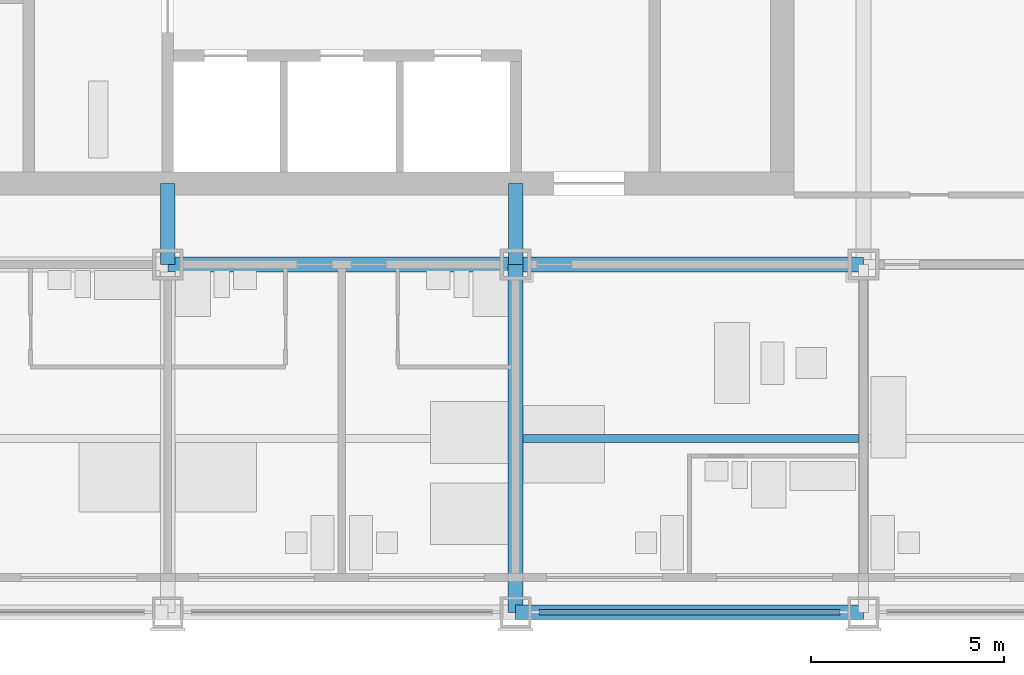
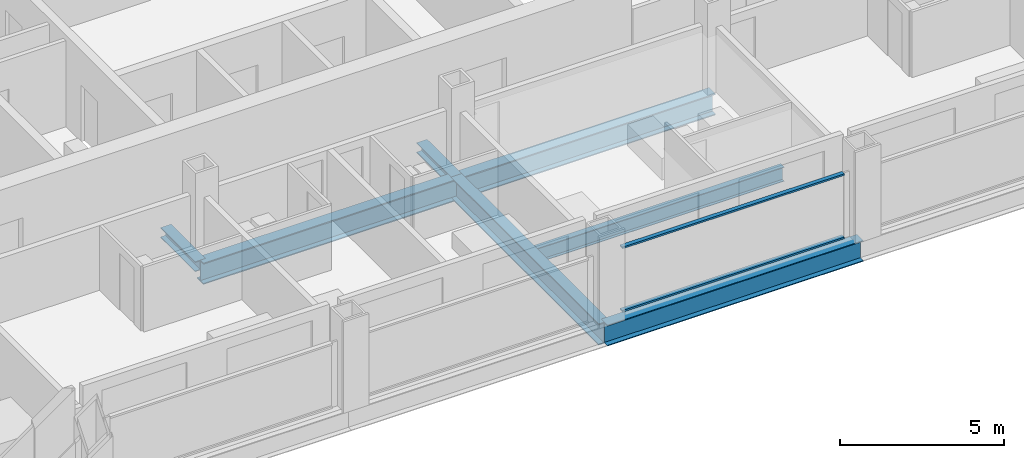
# One storey, part 3 of 18: 5 beams, 4 members, 1 element without a shape of its own.
"""IFC4 building model written with IfcOpenShell, lengths in metres."""

import ifcopenshell
import ifcopenshell.guid

model = None  # the IFC model being written
_history = None  # IfcOwnerHistory: only IFC2X3 demands one
_inside = {}  # id of a spatial element -> (the spatial element, [elements in it])
_under = {}  # id of a project, library or spatial element -> (it, [spatial elements below it])
_declared = {}  # id of a project -> (the project, [libraries it declares])
_typed = {}  # id of a type object -> (the type object, [elements of that type])
_made_of = {}  # id of a material, layer set ... -> (it, [elements and type objects made of it])


def new_model(schema):
    """Start an empty IFC model of exactly this schema.

    Asked for "IFC4X3", IfcOpenShell would pick the latest addendum, in which some entities
    have other attributes; the version numbers below select the first issue.
    IFC2X3 requires an IfcOwnerHistory on every rooted entity: one is made here for all.
    """
    global model, _history
    if schema == "IFC4X3":
        model = ifcopenshell.file(schema_version=(4, 3, 0, 0))
    else:
        model = ifcopenshell.file(schema=schema)
    _inside.clear()
    _under.clear()
    _declared.clear()
    _typed.clear()
    _made_of.clear()
    _history = None
    if model.schema == "IFC2X3":
        org = make("IfcOrganization", Name="unknown")
        user = make(
            "IfcPersonAndOrganization",
            ThePerson=make("IfcPerson", FamilyName="unknown"),
            TheOrganization=org,
        )
        app = make(
            "IfcApplication",
            ApplicationDeveloper=org,
            Version="unknown",
            ApplicationFullName="unknown",
            ApplicationIdentifier="unknown",
        )
        _history = make(
            "IfcOwnerHistory",
            OwningUser=user,
            OwningApplication=app,
            ChangeAction="ADDED",
            CreationDate=0,
        )
    return model


def make(cls, **values):
    """One entity of the class cls with the attributes given. An attribute that is None is left unset."""
    return model.create_entity(
        cls, **{name: value for name, value in values.items() if value is not None}
    )


def rooted(cls, **values):
    """An entity with a GlobalId (a new one), such as an element, a storey or a relation."""
    return make(cls, GlobalId=ifcopenshell.guid.new(), OwnerHistory=_history, **values)


def si_unit(unit_type, name, prefix=None):
    """IfcSIUnit, for example si_unit("LENGTHUNIT", "METRE", prefix="MILLI")."""
    return make("IfcSIUnit", UnitType=unit_type, Prefix=prefix, Name=name)


def assignment(units):
    """IfcUnitAssignment: the units of a project."""
    return None if units is None else make("IfcUnitAssignment", Units=units)


def point(xyz):
    """IfcCartesianPoint."""
    return None if xyz is None else make("IfcCartesianPoint", Coordinates=xyz)


def direction(xyz):
    """IfcDirection."""
    return None if xyz is None else make("IfcDirection", DirectionRatios=xyz)


def frame(location, z_axis=None, x_axis=None):
    """IfcAxis2Placement3D, a coordinate frame: its origin and axes. An axis left out is left unset."""
    return make(
        "IfcAxis2Placement3D",
        Location=point(location),
        Axis=direction(z_axis),
        RefDirection=direction(x_axis),
    )


def frame_2d(location, x_axis=None):
    """IfcAxis2Placement2D, a coordinate frame in the plane: its origin and x axis."""
    return make(
        "IfcAxis2Placement2D", Location=point(location), RefDirection=direction(x_axis)
    )


def origin():
    """The frame at (0, 0, 0) with its axes left unset."""
    return frame((0.0, 0.0, 0.0))


def origin_2d():
    """The frame at (0, 0) in the plane with its x axis left unset."""
    return frame_2d((0.0, 0.0))


def place(relative_to, where):
    """IfcLocalPlacement: puts the frame where relative to a parent placement (None: the world)."""
    return make(
        "IfcLocalPlacement", PlacementRelTo=relative_to, RelativePlacement=where
    )


def context(
    kind, dimensions, precision=None, world=None, true_north=None, identifier=None
):
    """IfcGeometricRepresentationContext, for example the 3D "Model" context."""
    return make(
        "IfcGeometricRepresentationContext",
        ContextIdentifier=identifier,
        ContextType=kind,
        CoordinateSpaceDimension=dimensions,
        Precision=precision,
        WorldCoordinateSystem=world,
        TrueNorth=true_north,
    )


def subcontext(parent, identifier, kind, view, scale=None):
    """IfcGeometricRepresentationSubContext, for example "Body" below "Model"."""
    return make(
        "IfcGeometricRepresentationSubContext",
        ContextIdentifier=identifier,
        ContextType=kind,
        ParentContext=parent,
        TargetScale=scale,
        TargetView=view,
    )


def project(units=None, contexts=None):
    """IfcProject with its units and contexts."""
    return rooted(
        "IfcProject",
        Name="project",
        RepresentationContexts=contexts,
        UnitsInContext=assignment(units),
    )


def spatial(cls, under=None, at=None, **own):
    """A site, building, storey or space (cls), placed at a placement, below another one or the project."""
    s = rooted(cls, ObjectPlacement=at, **own)
    if under is not None:
        _under.setdefault(under.id(), (under, []))[1].append(s)
    return s


def profile(cls, at=None, kind="AREA", **sizes):
    """A parametric profile (cls). Its sizes go by their IFC names, for example OverallWidth=200.0."""
    return make(cls, ProfileType=kind, Position=at, **sizes)


def rectangle(**sizes):
    """IfcRectangleProfileDef."""
    return profile("IfcRectangleProfileDef", **sizes)


def i_section(**sizes):
    """IfcIShapeProfileDef."""
    return profile("IfcIShapeProfileDef", **sizes)


def extrude(swept, where, along, depth):
    """IfcExtrudedAreaSolid: the profile swept, set in the frame where, extruded along a direction by depth."""
    return make(
        "IfcExtrudedAreaSolid",
        SweptArea=swept,
        Position=where,
        ExtrudedDirection=direction(along),
        Depth=depth,
    )


def shape(context_of_items, identifier, shape_type, items):
    """IfcShapeRepresentation: the items that make up one representation, for example the "Body"."""
    return make(
        "IfcShapeRepresentation",
        ContextOfItems=context_of_items,
        RepresentationIdentifier=identifier,
        RepresentationType=shape_type,
        Items=items,
    )


def material(Name=None, Category=None):
    """IfcMaterial."""
    return make("IfcMaterial", Name=Name, Category=Category)


def material_profile(
    of_material, cross_section, Name=None, Category=None, Priority=None
):
    """IfcMaterialProfile: a cross section and its material."""
    return make(
        "IfcMaterialProfile",
        Name=Name,
        Material=of_material,
        Profile=cross_section,
        Priority=Priority,
        Category=Category,
    )


def profile_set(profiles, Name=None, composite=None):
    """IfcMaterialProfileSet."""
    return make(
        "IfcMaterialProfileSet",
        Name=Name,
        MaterialProfiles=profiles,
        CompositeProfile=composite,
    )


def made_of(thing, what):
    """Note that an element or type object is made of a material, layer set ...; save() writes the relation."""
    if what is not None:
        _made_of.setdefault(what.id(), (what, []))[1].append(thing)
    return thing


def type_object(cls, material=None, **own):
    """A type object (cls), such as IfcWallType, which elements share."""
    return made_of(rooted(cls, **own), material)


def element(
    cls,
    number,
    at=None,
    inside=None,
    cuts=None,
    type_object=None,
    material=None,
    context=None,
    identifier="Body",
    shape_type=None,
    held_by="IfcProductDefinitionShape",
    body=None,
    shapes=None,
    **own,
):
    """One element of the class cls, such as IfcWall. Its Tag is "e" and its number.

    at: its placement. inside: the storey or other place that contains it. cuts: it is an
    opening in that element (IfcRelVoidsElement). A single representation is given by context,
    identifier, shape_type and body (its items); several are given by shapes. held_by: the class
    of the entity that holds the representations. save() writes the other relations.
    """
    e = rooted(cls, Tag="e%d" % number, ObjectPlacement=at, **own)
    if body is not None:
        shapes = [shape(context, identifier, shape_type, body)]
    if shapes is not None:
        e.Representation = make(held_by, Representations=shapes)
    if inside is not None:
        _inside.setdefault(inside.id(), (inside, []))[1].append(e)
    if cuts is not None:
        rooted(
            "IfcRelVoidsElement", RelatingBuildingElement=cuts, RelatedOpeningElement=e
        )
    if type_object is not None:
        _typed.setdefault(type_object.id(), (type_object, []))[1].append(e)
    return made_of(e, material)


def aggregate(whole, parts):
    """IfcRelAggregates: a whole, such as a stair, and the parts it consists of."""
    return rooted("IfcRelAggregates", RelatingObject=whole, RelatedObjects=parts)


def save(model, path):
    """Write the relations noted so far, then the file.

    IfcRelAggregates (storeys below a building ...), IfcRelContainedInSpatialStructure (elements
    in a storey), IfcRelDefinesByType, IfcRelAssociatesMaterial and IfcRelDeclares: one each for
    every whole, place, type object, material and project.
    """
    for whole, parts in _under.values():
        aggregate(whole, parts)
    for where, things in _inside.values():
        rooted(
            "IfcRelContainedInSpatialStructure",
            RelatedElements=things,
            RelatingStructure=where,
        )
    for kind, things in _typed.values():
        rooted("IfcRelDefinesByType", RelatedObjects=things, RelatingType=kind)
    for what, things in _made_of.values():
        rooted("IfcRelAssociatesMaterial", RelatedObjects=things, RelatingMaterial=what)
    for by, libraries in _declared.values():
        rooted("IfcRelDeclares", RelatingContext=by, RelatedDefinitions=libraries)
    model.write(path)


model = new_model("IFC4")

# Units and contexts
model_context = context("Model", 3, precision=1e-05, world=origin(), true_north=direction((0.0, 1.0)))
body_context = subcontext(model_context, "Body", "Model", "MODEL_VIEW")
ifc_project = project(units=[si_unit("LENGTHUNIT", "METRE"), si_unit("AREAUNIT", "SQUARE_METRE"), si_unit("VOLUMEUNIT", "CUBIC_METRE"), si_unit("PLANEANGLEUNIT", "RADIAN"), si_unit("MASSUNIT", "GRAM", prefix="KILO")], contexts=[model_context])

# Site, building, storey
site_placement = place(None, origin())
site = spatial("IfcSite", under=ifc_project, at=site_placement, CompositionType="ELEMENT")
building_placement = place(site_placement, origin())
building = spatial("IfcBuilding", under=site, at=building_placement, Name="Loomwork Tower", CompositionType="ELEMENT")
storey_placement = place(building_placement, frame((0.0, 0.0, 65.39990234375)))
storey = spatial("IfcBuildingStorey", under=building, at=storey_placement, Name="L16", CompositionType="ELEMENT", Elevation=65.39990234375)

# Beams
ifc_material_1 = material(Name="Steel ASTM A992", Category="steel")
ifc_material_profile_1 = material_profile(ifc_material_1, i_section(OverallWidth=0.383544921875, OverallDepth=0.794921875, WebThickness=0.02099609375, FlangeThickness=0.0380859375, at=origin_2d()), Name="W30x235")
ifc_profile_set_1 = profile_set([ifc_material_profile_1], Name="Steel ASTM A992")
beam_type_1 = type_object("IfcBeamType", Name="CORE FLANK GIRDER W30x235", PredefinedType="BEAM", material=ifc_profile_set_1)
for number, where, z_axis, x_axis, name in (
    (1, (18.0, 9.0, -0.597412109375), (1.0, 0.0, 0.0), (0.0, 1.0, 0.0), "Core Flank Girder E/4-E/5 L16"),
    (2, (27.0, 9.0, -0.597412109375), (1.0, 0.0, 0.0), (0.0, 1.0, 0.0), "Core Flank Girder E/5-E/6 L16"),
    (3, (27.0, 0.0, -0.597412109375), (0.0, 1.0, 0.0), (-1.0, 0.0, 0.0), "Core Flank Girder D/5-E/5 L16"),
):
    element("IfcBeam", number, at=place(storey_placement, frame(where, z_axis=z_axis, x_axis=x_axis)), inside=storey, type_object=beam_type_1, Name=name, PredefinedType="BEAM", context=body_context, shape_type="SweptSolid", body=[
        extrude(i_section(OverallWidth=0.383544921875, OverallDepth=0.794921875, WebThickness=0.02099609375, FlangeThickness=0.0380859375, at=origin_2d()), origin(), (0.0, 0.0, 1.0), 9.0),
    ])

# Members
ifc_material_2 = material(Name="Steel ASTM A992", Category="steel")
ifc_material_profile_2 = material_profile(ifc_material_2, i_section(OverallWidth=0.373291015625, OverallDepth=0.373291015625, WebThickness=0.016357421875, FlangeThickness=0.026123046875, at=origin_2d()), Name="W14x132")
ifc_profile_set_2 = profile_set([ifc_material_profile_2], Name="Steel ASTM A992")
member_type_1 = type_object("IfcMemberType", Name="CORE LINK STRUT W14x132", PredefinedType="STRUT", material=ifc_profile_set_2)
for number, where, z_axis, x_axis, name in (
    (4, (27.0, 9.0, -0.386474609375), (0.0, 1.0, 0.0), (-1.0, 0.0, 0.0), "Core link strut E/5-27.000,11.100 L16"),
    (5, (18.0, 9.0, -0.386474609375), (0.0, 1.0, 0.0), (-1.0, 0.0, 0.0), "Core link strut E/4-18.000,11.100 L16"),
):
    element("IfcMember", number, at=place(storey_placement, frame(where, z_axis=z_axis, x_axis=x_axis)), inside=storey, type_object=member_type_1, Name=name, PredefinedType="STRUT", context=body_context, shape_type="SweptSolid", body=[
        extrude(i_section(OverallWidth=0.373291015625, OverallDepth=0.373291015625, WebThickness=0.016357421875, FlangeThickness=0.026123046875, at=origin_2d()), origin(), (0.0, 0.0, 1.0), 2.10009765625),
    ])

# Beam
ifc_material_3 = material(Name="Steel ASTM A992", Category="steel")
ifc_material_profile_3 = material_profile(ifc_material_3, i_section(OverallWidth=0.2109375, OverallDepth=0.53857421875, WebThickness=0.011474609375, FlangeThickness=0.018798828125, at=origin_2d()), Name="W21x73")
ifc_profile_set_3 = profile_set([ifc_material_profile_3], Name="Steel ASTM A992")
beam_type_2 = type_object("IfcBeamType", Name="FLOOR JOIST W21x73", PredefinedType="JOIST", material=ifc_profile_set_3)
beam_1_placement = place(storey_placement, frame((27.19091796875, 4.5, -0.46923828125), z_axis=(1.0, 0.0, 0.0), x_axis=(0.0, 1.0, 0.0)))
element("IfcBeam", 6, at=beam_1_placement, inside=storey, type_object=beam_type_2, Name="Floor Joist 27.000,4.500-36.000,4.500 L16", PredefinedType="JOIST", context=body_context, shape_type="SweptSolid", body=[
    extrude(i_section(OverallWidth=0.2109375, OverallDepth=0.53857421875, WebThickness=0.011474609375, FlangeThickness=0.018798828125, at=origin_2d()), origin(), (0.0, 0.0, 1.0), 8.676025390625),
])

# Curtain wall, members
ifc_material_4 = material(Name="Aluminium curtain wall frame", Category="aluminium")
curtain_wall_type = type_object("IfcCurtainWallType", Name="Outer skin glazing hotel", PredefinedType="NOTDEFINED", material=ifc_material_4)
curtain_wall_placement = place(storey_placement, origin())
curtain_wall = element("IfcCurtainWall", 7, at=curtain_wall_placement, inside=storey, type_object=curtain_wall_type, Name="Outer skin glazing hotel cw/S-27", PredefinedType="NOTDEFINED")
ifc_material_5 = material(Name="Aluminium curtain wall frame", Category="aluminium")
ifc_material_profile_4 = material_profile(ifc_material_5, rectangle(XDim=0.14990234375, YDim=0.06494140625, at=origin_2d()), Name="AL 65x150")
ifc_profile_set_4 = profile_set([ifc_material_profile_4], Name="Aluminium curtain wall frame")
member_type_2 = type_object("IfcMemberType", Name="Outer skin glazing hotel transom", PredefinedType="USERDEFINED", material=ifc_profile_set_4)
member_1_placement = place(storey_placement, frame((27.60009765625, 0.0, 0.03271484375), z_axis=(1.0, 0.0, 0.0), x_axis=(0.0, 1.0, 0.0)))
member_1 = element("IfcMember", 8, at=member_1_placement, type_object=member_type_2, Name="CW1 transom 1.1", ObjectType="TRANSOM", PredefinedType="USERDEFINED", context=body_context, shape_type="SweptSolid", body=[
    extrude(rectangle(XDim=0.14990234375, YDim=0.06494140625, at=origin_2d()), origin(), (0.0, 0.0, 1.0), 7.7998046875),
])
member_2_placement = place(storey_placement, frame((27.60009765625, 0.0, 2.3876953125), z_axis=(1.0, 0.0, 0.0), x_axis=(0.0, 1.0, 0.0)))
member_2 = element("IfcMember", 9, at=member_2_placement, type_object=member_type_2, Name="CW1 transom 1.2", ObjectType="TRANSOM", PredefinedType="USERDEFINED", context=body_context, shape_type="SweptSolid", body=[
    extrude(rectangle(XDim=0.14990234375, YDim=0.06494140625, at=origin_2d()), origin(), (0.0, 0.0, 1.0), 7.7998046875),
])
aggregate(curtain_wall, [member_1, member_2])

# Beam
ifc_material_6 = material(Name="Steel ASTM A992", Category="steel")
ifc_material_profile_5 = material_profile(ifc_material_6, i_section(OverallWidth=0.381103515625, OverallDepth=0.77978515625, WebThickness=0.01806640625, FlangeThickness=0.0302734375, at=origin_2d()), Name="W30x191")
ifc_profile_set_5 = profile_set([ifc_material_profile_5], Name="Steel ASTM A992")
beam_type_3 = type_object("IfcBeamType", Name="SPANDREL GIRDER W30x191", PredefinedType="SPANDREL", material=ifc_profile_set_5)
beam_2_placement = place(storey_placement, frame((27.0, 0.0, -0.58984375), z_axis=(1.0, 0.0, 0.0), x_axis=(0.0, 1.0, 0.0)))
element("IfcBeam", 10, at=beam_2_placement, inside=storey, type_object=beam_type_3, Name="Spandrel Girder D/5-D/6 L16", PredefinedType="SPANDREL", context=body_context, shape_type="SweptSolid", body=[
    extrude(i_section(OverallWidth=0.381103515625, OverallDepth=0.77978515625, WebThickness=0.01806640625, FlangeThickness=0.0302734375, at=origin_2d()), origin(), (0.0, 0.0, 1.0), 9.0),
])

save(model, "model.ifc")
